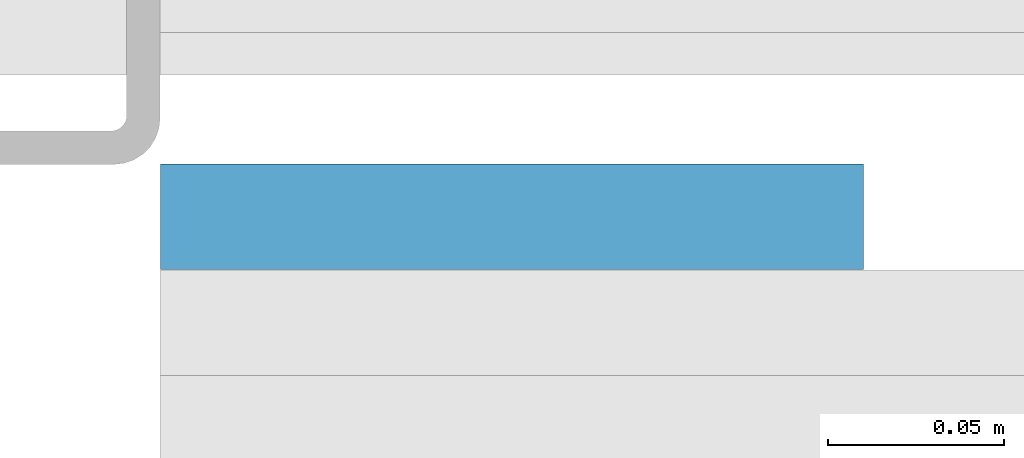
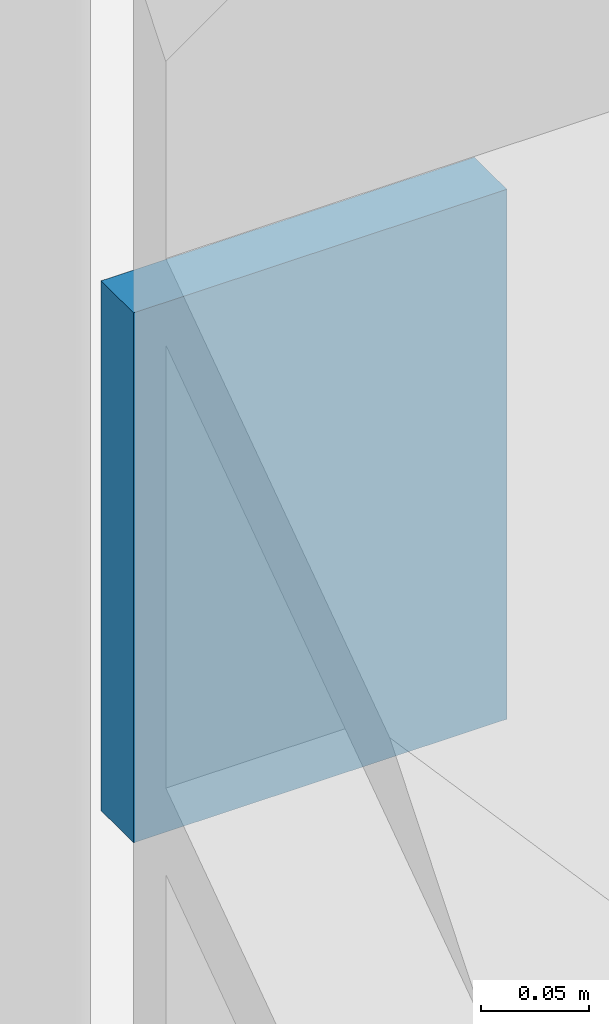
# One storey, part 18 of 27: 1 discrete accessory.
"""IFC4 building model written with IfcOpenShell, lengths in metres."""

import ifcopenshell
import ifcopenshell.guid

model = None  # the IFC model being written
_history = None  # IfcOwnerHistory: only IFC2X3 demands one
_inside = {}  # id of a spatial element -> (the spatial element, [elements in it])
_under = {}  # id of a project, library or spatial element -> (it, [spatial elements below it])
_declared = {}  # id of a project -> (the project, [libraries it declares])
_typed = {}  # id of a type object -> (the type object, [elements of that type])
_made_of = {}  # id of a material, layer set ... -> (it, [elements and type objects made of it])


def new_model(schema):
    """Start an empty IFC model of exactly this schema.

    Asked for "IFC4X3", IfcOpenShell would pick the latest addendum, in which some entities
    have other attributes; the version numbers below select the first issue.
    IFC2X3 requires an IfcOwnerHistory on every rooted entity: one is made here for all.
    """
    global model, _history
    if schema == "IFC4X3":
        model = ifcopenshell.file(schema_version=(4, 3, 0, 0))
    else:
        model = ifcopenshell.file(schema=schema)
    _inside.clear()
    _under.clear()
    _declared.clear()
    _typed.clear()
    _made_of.clear()
    _history = None
    if model.schema == "IFC2X3":
        org = make("IfcOrganization", Name="unknown")
        user = make(
            "IfcPersonAndOrganization",
            ThePerson=make("IfcPerson", FamilyName="unknown"),
            TheOrganization=org,
        )
        app = make(
            "IfcApplication",
            ApplicationDeveloper=org,
            Version="unknown",
            ApplicationFullName="unknown",
            ApplicationIdentifier="unknown",
        )
        _history = make(
            "IfcOwnerHistory",
            OwningUser=user,
            OwningApplication=app,
            ChangeAction="ADDED",
            CreationDate=0,
        )
    return model


def make(cls, **values):
    """One entity of the class cls with the attributes given. An attribute that is None is left unset."""
    return model.create_entity(
        cls, **{name: value for name, value in values.items() if value is not None}
    )


def rooted(cls, **values):
    """An entity with a GlobalId (a new one), such as an element, a storey or a relation."""
    return make(cls, GlobalId=ifcopenshell.guid.new(), OwnerHistory=_history, **values)


def si_unit(unit_type, name, prefix=None):
    """IfcSIUnit, for example si_unit("LENGTHUNIT", "METRE", prefix="MILLI")."""
    return make("IfcSIUnit", UnitType=unit_type, Prefix=prefix, Name=name)


def assignment(units):
    """IfcUnitAssignment: the units of a project."""
    return None if units is None else make("IfcUnitAssignment", Units=units)


def point(xyz):
    """IfcCartesianPoint."""
    return None if xyz is None else make("IfcCartesianPoint", Coordinates=xyz)


def direction(xyz):
    """IfcDirection."""
    return None if xyz is None else make("IfcDirection", DirectionRatios=xyz)


def frame(location, z_axis=None, x_axis=None):
    """IfcAxis2Placement3D, a coordinate frame: its origin and axes. An axis left out is left unset."""
    return make(
        "IfcAxis2Placement3D",
        Location=point(location),
        Axis=direction(z_axis),
        RefDirection=direction(x_axis),
    )


def frame_2d(location, x_axis=None):
    """IfcAxis2Placement2D, a coordinate frame in the plane: its origin and x axis."""
    return make(
        "IfcAxis2Placement2D", Location=point(location), RefDirection=direction(x_axis)
    )


def origin():
    """The frame at (0, 0, 0) with its axes left unset."""
    return frame((0.0, 0.0, 0.0))


def origin_2d():
    """The frame at (0, 0) in the plane with its x axis left unset."""
    return frame_2d((0.0, 0.0))


def place(relative_to, where):
    """IfcLocalPlacement: puts the frame where relative to a parent placement (None: the world)."""
    return make(
        "IfcLocalPlacement", PlacementRelTo=relative_to, RelativePlacement=where
    )


def context(
    kind, dimensions, precision=None, world=None, true_north=None, identifier=None
):
    """IfcGeometricRepresentationContext, for example the 3D "Model" context."""
    return make(
        "IfcGeometricRepresentationContext",
        ContextIdentifier=identifier,
        ContextType=kind,
        CoordinateSpaceDimension=dimensions,
        Precision=precision,
        WorldCoordinateSystem=world,
        TrueNorth=true_north,
    )


def subcontext(parent, identifier, kind, view, scale=None):
    """IfcGeometricRepresentationSubContext, for example "Body" below "Model"."""
    return make(
        "IfcGeometricRepresentationSubContext",
        ContextIdentifier=identifier,
        ContextType=kind,
        ParentContext=parent,
        TargetScale=scale,
        TargetView=view,
    )


def project(units=None, contexts=None):
    """IfcProject with its units and contexts."""
    return rooted(
        "IfcProject",
        Name="project",
        RepresentationContexts=contexts,
        UnitsInContext=assignment(units),
    )


def spatial(cls, under=None, at=None, **own):
    """A site, building, storey or space (cls), placed at a placement, below another one or the project."""
    s = rooted(cls, ObjectPlacement=at, **own)
    if under is not None:
        _under.setdefault(under.id(), (under, []))[1].append(s)
    return s


def profile(cls, at=None, kind="AREA", **sizes):
    """A parametric profile (cls). Its sizes go by their IFC names, for example OverallWidth=200.0."""
    return make(cls, ProfileType=kind, Position=at, **sizes)


def rectangle(**sizes):
    """IfcRectangleProfileDef."""
    return profile("IfcRectangleProfileDef", **sizes)


def extrude(swept, where, along, depth):
    """IfcExtrudedAreaSolid: the profile swept, set in the frame where, extruded along a direction by depth."""
    return make(
        "IfcExtrudedAreaSolid",
        SweptArea=swept,
        Position=where,
        ExtrudedDirection=direction(along),
        Depth=depth,
    )


def shape(context_of_items, identifier, shape_type, items):
    """IfcShapeRepresentation: the items that make up one representation, for example the "Body"."""
    return make(
        "IfcShapeRepresentation",
        ContextOfItems=context_of_items,
        RepresentationIdentifier=identifier,
        RepresentationType=shape_type,
        Items=items,
    )


def material(Name=None, Category=None):
    """IfcMaterial."""
    return make("IfcMaterial", Name=Name, Category=Category)


def made_of(thing, what):
    """Note that an element or type object is made of a material, layer set ...; save() writes the relation."""
    if what is not None:
        _made_of.setdefault(what.id(), (what, []))[1].append(thing)
    return thing


def type_object(cls, material=None, **own):
    """A type object (cls), such as IfcWallType, which elements share."""
    return made_of(rooted(cls, **own), material)


def element(
    cls,
    number,
    at=None,
    inside=None,
    cuts=None,
    type_object=None,
    material=None,
    context=None,
    identifier="Body",
    shape_type=None,
    held_by="IfcProductDefinitionShape",
    body=None,
    shapes=None,
    **own,
):
    """One element of the class cls, such as IfcWall. Its Tag is "e" and its number.

    at: its placement. inside: the storey or other place that contains it. cuts: it is an
    opening in that element (IfcRelVoidsElement). A single representation is given by context,
    identifier, shape_type and body (its items); several are given by shapes. held_by: the class
    of the entity that holds the representations. save() writes the other relations.
    """
    e = rooted(cls, Tag="e%d" % number, ObjectPlacement=at, **own)
    if body is not None:
        shapes = [shape(context, identifier, shape_type, body)]
    if shapes is not None:
        e.Representation = make(held_by, Representations=shapes)
    if inside is not None:
        _inside.setdefault(inside.id(), (inside, []))[1].append(e)
    if cuts is not None:
        rooted(
            "IfcRelVoidsElement", RelatingBuildingElement=cuts, RelatedOpeningElement=e
        )
    if type_object is not None:
        _typed.setdefault(type_object.id(), (type_object, []))[1].append(e)
    return made_of(e, material)


def aggregate(whole, parts):
    """IfcRelAggregates: a whole, such as a stair, and the parts it consists of."""
    return rooted("IfcRelAggregates", RelatingObject=whole, RelatedObjects=parts)


def save(model, path):
    """Write the relations noted so far, then the file.

    IfcRelAggregates (storeys below a building ...), IfcRelContainedInSpatialStructure (elements
    in a storey), IfcRelDefinesByType, IfcRelAssociatesMaterial and IfcRelDeclares: one each for
    every whole, place, type object, material and project.
    """
    for whole, parts in _under.values():
        aggregate(whole, parts)
    for where, things in _inside.values():
        rooted(
            "IfcRelContainedInSpatialStructure",
            RelatedElements=things,
            RelatingStructure=where,
        )
    for kind, things in _typed.values():
        rooted("IfcRelDefinesByType", RelatedObjects=things, RelatingType=kind)
    for what, things in _made_of.values():
        rooted("IfcRelAssociatesMaterial", RelatedObjects=things, RelatingMaterial=what)
    for by, libraries in _declared.values():
        rooted("IfcRelDeclares", RelatingContext=by, RelatedDefinitions=libraries)
    model.write(path)


model = new_model("IFC4")

# Units and contexts
model_context = context("Model", 3, precision=1e-05, world=origin(), true_north=direction((0.0, 1.0)))
body_context = subcontext(model_context, "Body", "Model", "MODEL_VIEW")
ifc_project = project(units=[si_unit("LENGTHUNIT", "METRE"), si_unit("AREAUNIT", "SQUARE_METRE"), si_unit("VOLUMEUNIT", "CUBIC_METRE"), si_unit("PLANEANGLEUNIT", "RADIAN"), si_unit("MASSUNIT", "GRAM", prefix="KILO")], contexts=[model_context])

# Site, building, storey
site_placement = place(None, origin())
site = spatial("IfcSite", under=ifc_project, at=site_placement, CompositionType="ELEMENT")
building_placement = place(site_placement, origin())
building = spatial("IfcBuilding", under=site, at=building_placement, Name="Madar Terraces", CompositionType="ELEMENT")
storey_placement = place(building_placement, frame((0.0, 0.0, 301.10009765625)))
storey = spatial("IfcBuildingStorey", under=building, at=storey_placement, Name="L78", CompositionType="ELEMENT", Elevation=301.10009765625)

# Discrete accessory
ifc_material = material(Name="Steel, galvanised", Category="steel")
discrete_accessory_type = type_object("IfcDiscreteAccessoryType", Name="Louvre bank bracket", PredefinedType="BRACKET", material=ifc_material)
discrete_accessory_placement = place(storey_placement, frame((24.441650390625, 1.05810546875, 1.7490234375), z_axis=(0.0, 0.0, 1.0), x_axis=(1.0, 0.0, 0.0)))
element("IfcDiscreteAccessory", 1, at=discrete_accessory_placement, inside=storey, type_object=discrete_accessory_type, Name="Louvre bank bracket", PredefinedType="BRACKET", context=body_context, shape_type="SweptSolid", body=[
    extrude(rectangle(XDim=0.199951171875, YDim=0.030029296875, at=origin_2d()), origin(), (0.0, 0.0, 1.0), 0.300048828125),
])

save(model, "model.ifc")
